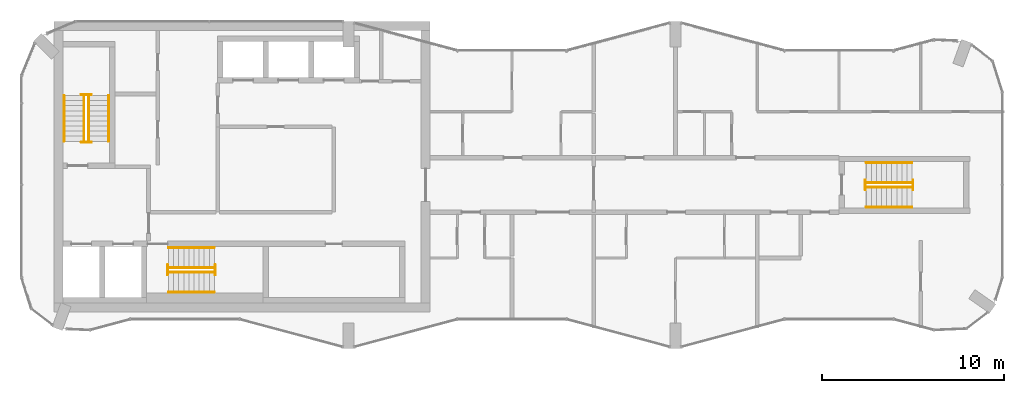
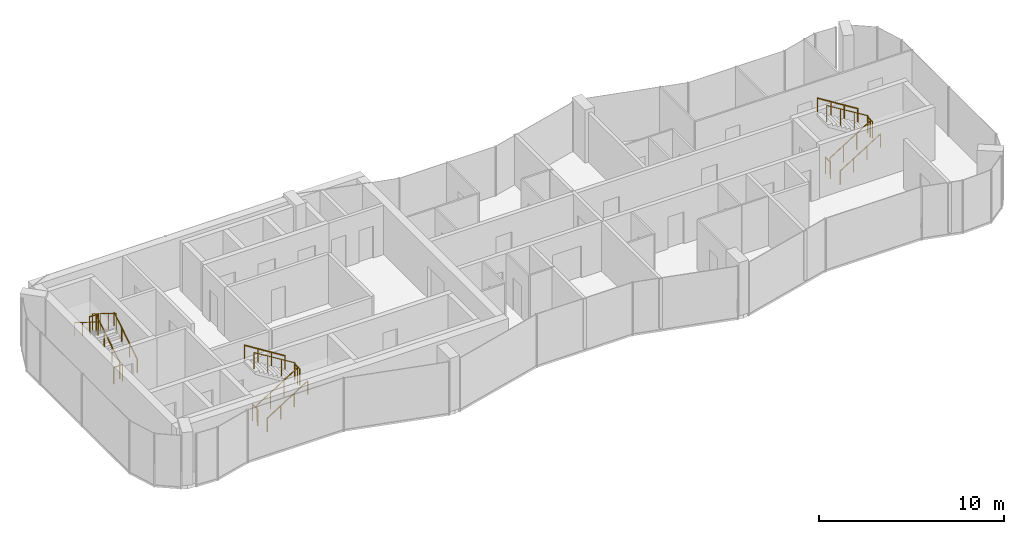
# One storey, part 10 of 10: 18 railings.
"""IFC4 building model written with IfcOpenShell, lengths in metres."""

from ifc_helpers import new_model, si_unit, direction, frame, origin, origin_2d, place, context, subcontext, project, spatial, circle, extrude, material, type_object, element, save


model = new_model("IFC4")

# Units and contexts
model_context = context("Model", 3, precision=1e-05, world=origin(), true_north=direction((0.0, 1.0)))
body_context = subcontext(model_context, "Body", "Model", "MODEL_VIEW")
ifc_project = project(units=[si_unit("LENGTHUNIT", "METRE"), si_unit("AREAUNIT", "SQUARE_METRE"), si_unit("VOLUMEUNIT", "CUBIC_METRE"), si_unit("PLANEANGLEUNIT", "RADIAN"), si_unit("MASSUNIT", "GRAM", prefix="KILO")], contexts=[model_context])

# Site, building, storey
site_placement = place(None, origin())
site = spatial("IfcSite", under=ifc_project, at=site_placement, CompositionType="ELEMENT")
building_placement = place(site_placement, origin())
building = spatial("IfcBuilding", under=site, at=building_placement, Name="Plateau Cross Towers", CompositionType="ELEMENT")
storey_placement = place(building_placement, frame((0.0, 0.0, 249.39990234375)))
storey = spatial("IfcBuildingStorey", under=building, at=storey_placement, Name="L65", CompositionType="ELEMENT", Elevation=249.39990234375)

# Railings
ifc_material_1 = material(Name="Stainless steel and toughened glass", Category="steel")
railing_type_1 = type_object("IfcRailingType", Name="RL-GUARD-1100", PredefinedType="GUARDRAIL", material=ifc_material_1)
railing_1_placement = place(storey_placement, frame((3.699951171875, 11.39990234375, 0.175048828125)))
element("IfcRailing", 1, at=railing_1_placement, inside=storey, type_object=railing_type_1, Name="L65 ST-1 stair guard 1", PredefinedType="GUARDRAIL", context=body_context, shape_type="SweptSolid", body=[
    extrude(circle(Radius=0.02392578125, at=origin_2d()), frame((0.0, 0.0, 1.076171875), z_axis=(0.0, 0.848007534815, 0.529984170421), x_axis=(-1.0, 0.0, 0.0)), (0.0, 0.0, 1.0), 2.9716796875),
    extrude(circle(Radius=0.02099609375, at=origin_2d()), origin(), (0.0, 0.0, 1.0), 1.052001953125),
    extrude(circle(Radius=0.02099609375, at=origin_2d()), frame((0.0, 0.840087890625, 0.52490234375)), (0.0, 0.0, 1.0), 1.052001953125),
    extrude(circle(Radius=0.02099609375, at=origin_2d()), frame((0.0, 1.679931640625, 1.050048828125)), (0.0, 0.0, 1.0), 1.052001953125),
    extrude(circle(Radius=0.02099609375, at=origin_2d()), frame((0.0, 2.52001953125, 1.574951171875)), (0.0, 0.0, 1.0), 1.052001953125),
])
railing_2_placement = place(storey_placement, frame((3.85009765625, 13.969970703125, 1.75)))
element("IfcRailing", 2, at=railing_2_placement, inside=storey, type_object=railing_type_1, Name="L65 ST-1 stair guard 2", PredefinedType="GUARDRAIL", context=body_context, shape_type="SweptSolid", body=[
    extrude(circle(Radius=0.02392578125, at=origin_2d()), frame((0.0, 0.0, 1.076171875), z_axis=(-1.0, 0.0, 0.0), x_axis=(0.0, -1.0, 0.0)), (0.0, 0.0, 1.0), 0.550048828125),
    extrude(circle(Radius=0.02099609375, at=origin_2d()), origin(), (0.0, 0.0, 1.0), 1.052001953125),
    extrude(circle(Radius=0.02099609375, at=origin_2d()), frame((-0.550048828125, 0.0, 0.0)), (0.0, 0.0, 1.0), 1.052001953125),
])
railing_3_placement = place(storey_placement, frame((3.449951171875, 13.919921875, 1.925048828125)))
element("IfcRailing", 3, at=railing_3_placement, inside=storey, type_object=railing_type_1, Name="L65 ST-1 stair guard 3", PredefinedType="GUARDRAIL", context=body_context, shape_type="SweptSolid", body=[
    extrude(circle(Radius=0.02392578125, at=origin_2d()), frame((0.0, 0.0, 1.076171875), z_axis=(0.0, -0.852616386126, 0.522537365276), x_axis=(1.0, 0.0, 0.0)), (0.0, 0.0, 1.0), 3.01416015625),
    extrude(circle(Radius=0.02099609375, at=origin_2d()), origin(), (0.0, 0.0, 1.0), 1.052001953125),
    extrude(circle(Radius=0.02099609375, at=origin_2d()), frame((0.0, -0.856689453125, 0.52490234375)), (0.0, 0.0, 1.0), 1.052001953125),
    extrude(circle(Radius=0.02099609375, at=origin_2d()), frame((0.0, -1.713134765625, 1.050048828125)), (0.0, 0.0, 1.0), 1.052001953125),
    extrude(circle(Radius=0.02099609375, at=origin_2d()), frame((0.0, -2.56982421875, 1.574951171875)), (0.0, 0.0, 1.0), 1.052001953125),
])
railing_4_placement = place(storey_placement, frame((3.85009765625, 11.35009765625, 0.0)))
element("IfcRailing", 4, at=railing_4_placement, inside=storey, type_object=railing_type_1, Name="L65 ST-1 stair guard 4", PredefinedType="GUARDRAIL", context=body_context, shape_type="SweptSolid", body=[
    extrude(circle(Radius=0.02392578125, at=origin_2d()), frame((0.0, 0.0, 1.076171875), z_axis=(-1.0, 0.0, 0.0), x_axis=(0.0, -1.0, 0.0)), (0.0, 0.0, 1.0), 0.550048828125),
    extrude(circle(Radius=0.02099609375, at=origin_2d()), origin(), (0.0, 0.0, 1.0), 1.052001953125),
    extrude(circle(Radius=0.02099609375, at=origin_2d()), frame((-0.550048828125, 0.0, 0.0)), (0.0, 0.0, 1.0), 1.052001953125),
])
railing_5_placement = place(storey_placement, frame((8.10009765625, 4.199951171875, 0.175048828125)))
element("IfcRailing", 5, at=railing_5_placement, inside=storey, type_object=railing_type_1, Name="L65 ST-2 stair guard 1", PredefinedType="GUARDRAIL", context=body_context, shape_type="SweptSolid", body=[
    extrude(circle(Radius=0.02392578125, at=origin_2d()), frame((0.0, 0.0, 1.076171875), z_axis=(0.848007534815, 0.0, 0.529984170421), x_axis=(0.0, 1.0, 0.0)), (0.0, 0.0, 1.0), 2.9716796875),
    extrude(circle(Radius=0.02099609375, at=origin_2d()), origin(), (0.0, 0.0, 1.0), 1.052001953125),
    extrude(circle(Radius=0.02099609375, at=origin_2d()), frame((0.840087890625, 0.0, 0.52490234375)), (0.0, 0.0, 1.0), 1.052001953125),
    extrude(circle(Radius=0.02099609375, at=origin_2d()), frame((1.679931640625, 0.0, 1.050048828125)), (0.0, 0.0, 1.0), 1.052001953125),
    extrude(circle(Radius=0.02099609375, at=origin_2d()), frame((2.52001953125, 0.0, 1.574951171875)), (0.0, 0.0, 1.0), 1.052001953125),
])
railing_6_placement = place(storey_placement, frame((10.669921875, 4.050048828125, 1.75)))
element("IfcRailing", 6, at=railing_6_placement, inside=storey, type_object=railing_type_1, Name="L65 ST-2 stair guard 2", PredefinedType="GUARDRAIL", context=body_context, shape_type="SweptSolid", body=[
    extrude(circle(Radius=0.02392578125, at=origin_2d()), frame((0.0, 0.0, 1.076171875), z_axis=(0.0, 1.0, 0.0), x_axis=(-1.0, 0.0, 0.0)), (0.0, 0.0, 1.0), 0.550048828125),
    extrude(circle(Radius=0.02099609375, at=origin_2d()), origin(), (0.0, 0.0, 1.0), 1.052001953125),
    extrude(circle(Radius=0.02099609375, at=origin_2d()), frame((0.0, 0.550048828125, 0.0)), (0.0, 0.0, 1.0), 1.052001953125),
])
railing_7_placement = place(storey_placement, frame((10.6201171875, 4.449951171875, 1.925048828125)))
element("IfcRailing", 7, at=railing_7_placement, inside=storey, type_object=railing_type_1, Name="L65 ST-2 stair guard 3", PredefinedType="GUARDRAIL", context=body_context, shape_type="SweptSolid", body=[
    extrude(circle(Radius=0.02392578125, at=origin_2d()), frame((0.0, 0.0, 1.076171875), z_axis=(-0.852638500773, 0.0, 0.522501279423), x_axis=(0.0, -1.0, 0.0)), (0.0, 0.0, 1.0), 3.01416015625),
    extrude(circle(Radius=0.02099609375, at=origin_2d()), origin(), (0.0, 0.0, 1.0), 1.052001953125),
    extrude(circle(Radius=0.02099609375, at=origin_2d()), frame((-0.856689453125, 0.0, 0.52490234375)), (0.0, 0.0, 1.0), 1.052001953125),
    extrude(circle(Radius=0.02099609375, at=origin_2d()), frame((-1.71337890625, 0.0, 1.050048828125)), (0.0, 0.0, 1.0), 1.052001953125),
    extrude(circle(Radius=0.02099609375, at=origin_2d()), frame((-2.570068359375, 0.0, 1.574951171875)), (0.0, 0.0, 1.0), 1.052001953125),
])
railing_8_placement = place(storey_placement, frame((8.050048828125, 4.050048828125, 0.0)))
element("IfcRailing", 8, at=railing_8_placement, inside=storey, type_object=railing_type_1, Name="L65 ST-2 stair guard 4", PredefinedType="GUARDRAIL", context=body_context, shape_type="SweptSolid", body=[
    extrude(circle(Radius=0.02392578125, at=origin_2d()), frame((0.0, 0.0, 1.076171875), z_axis=(0.0, 1.0, 0.0), x_axis=(-1.0, 0.0, 0.0)), (0.0, 0.0, 1.0), 0.550048828125),
    extrude(circle(Radius=0.02099609375, at=origin_2d()), origin(), (0.0, 0.0, 1.0), 1.052001953125),
    extrude(circle(Radius=0.02099609375, at=origin_2d()), frame((0.0, 0.550048828125, 0.0)), (0.0, 0.0, 1.0), 1.052001953125),
])
railing_9_placement = place(storey_placement, frame((46.5, 8.875, 0.175048828125)))
element("IfcRailing", 9, at=railing_9_placement, inside=storey, type_object=railing_type_1, Name="L65 ES-E stair guard 1", PredefinedType="GUARDRAIL", context=body_context, shape_type="SweptSolid", body=[
    extrude(circle(Radius=0.02392578125, at=origin_2d()), frame((0.0, 0.0, 1.076171875), z_axis=(0.848007534815, 0.0, 0.529984170421), x_axis=(0.0, 1.0, 0.0)), (0.0, 0.0, 1.0), 2.9716796875),
    extrude(circle(Radius=0.02099609375, at=origin_2d()), origin(), (0.0, 0.0, 1.0), 1.052001953125),
    extrude(circle(Radius=0.02099609375, at=origin_2d()), frame((0.840087890625, 0.0, 0.52490234375)), (0.0, 0.0, 1.0), 1.052001953125),
    extrude(circle(Radius=0.02099609375, at=origin_2d()), frame((1.679931640625, 0.0, 1.050048828125)), (0.0, 0.0, 1.0), 1.052001953125),
    extrude(circle(Radius=0.02099609375, at=origin_2d()), frame((2.52001953125, 0.0, 1.574951171875)), (0.0, 0.0, 1.0), 1.052001953125),
])
railing_10_placement = place(storey_placement, frame((49.070068359375, 8.72509765625, 1.75)))
element("IfcRailing", 10, at=railing_10_placement, inside=storey, type_object=railing_type_1, Name="L65 ES-E stair guard 2", PredefinedType="GUARDRAIL", context=body_context, shape_type="SweptSolid", body=[
    extrude(circle(Radius=0.02392578125, at=origin_2d()), frame((0.0, 0.0, 1.076171875), z_axis=(0.0, 1.0, 0.0), x_axis=(-1.0, 0.0, 0.0)), (0.0, 0.0, 1.0), 0.5498046875),
    extrude(circle(Radius=0.02099609375, at=origin_2d()), origin(), (0.0, 0.0, 1.0), 1.052001953125),
    extrude(circle(Radius=0.02099609375, at=origin_2d()), frame((0.0, 0.5498046875, 0.0)), (0.0, 0.0, 1.0), 1.052001953125),
])
railing_11_placement = place(storey_placement, frame((49.02001953125, 9.125, 1.925048828125)))
element("IfcRailing", 11, at=railing_11_placement, inside=storey, type_object=railing_type_1, Name="L65 ES-E stair guard 3", PredefinedType="GUARDRAIL", context=body_context, shape_type="SweptSolid", body=[
    extrude(circle(Radius=0.02392578125, at=origin_2d()), frame((0.0, 0.0, 1.076171875), z_axis=(-0.852638500773, 0.0, 0.522501279423), x_axis=(0.0, -1.0, 0.0)), (0.0, 0.0, 1.0), 3.01416015625),
    extrude(circle(Radius=0.02099609375, at=origin_2d()), origin(), (0.0, 0.0, 1.0), 1.052001953125),
    extrude(circle(Radius=0.02099609375, at=origin_2d()), frame((-0.856689453125, 0.0, 0.52490234375)), (0.0, 0.0, 1.0), 1.052001953125),
    extrude(circle(Radius=0.02099609375, at=origin_2d()), frame((-1.71337890625, 0.0, 1.050048828125)), (0.0, 0.0, 1.0), 1.052001953125),
    extrude(circle(Radius=0.02099609375, at=origin_2d()), frame((-2.570068359375, 0.0, 1.574951171875)), (0.0, 0.0, 1.0), 1.052001953125),
])
railing_12_placement = place(storey_placement, frame((46.449951171875, 8.72509765625, 0.0)))
element("IfcRailing", 12, at=railing_12_placement, inside=storey, type_object=railing_type_1, Name="L65 ES-E stair guard 4", PredefinedType="GUARDRAIL", context=body_context, shape_type="SweptSolid", body=[
    extrude(circle(Radius=0.02392578125, at=origin_2d()), frame((0.0, 0.0, 1.076171875), z_axis=(0.0, 1.0, 0.0), x_axis=(-1.0, 0.0, 0.0)), (0.0, 0.0, 1.0), 0.5498046875),
    extrude(circle(Radius=0.02099609375, at=origin_2d()), origin(), (0.0, 0.0, 1.0), 1.052001953125),
    extrude(circle(Radius=0.02099609375, at=origin_2d()), frame((0.0, 0.5498046875, 0.0)), (0.0, 0.0, 1.0), 1.052001953125),
])
ifc_material_2 = material(Name="Black anodised aluminium", Category="aluminium")
railing_type_2 = type_object("IfcRailingType", Name="RL-HANDRAIL-900", PredefinedType="HANDRAIL", material=ifc_material_2)
railing_13_placement = place(storey_placement, frame((4.800048828125, 11.39990234375, 0.175048828125)))
element("IfcRailing", 13, at=railing_13_placement, inside=storey, type_object=railing_type_2, Name="L65 ST-1 stair handrail 1", PredefinedType="HANDRAIL", context=body_context, shape_type="SweptSolid", body=[
    extrude(circle(Radius=0.02392578125, at=origin_2d()), frame((0.0, 0.0, 0.8759765625), z_axis=(0.0, 0.848007534815, 0.529984170421), x_axis=(-1.0, 0.0, 0.0)), (0.0, 0.0, 1.0), 2.9716796875),
    extrude(circle(Radius=0.02099609375, at=origin_2d()), origin(), (0.0, 0.0, 1.0), 0.851806640625),
    extrude(circle(Radius=0.02099609375, at=origin_2d()), frame((0.0, 0.840087890625, 0.52490234375)), (0.0, 0.0, 1.0), 0.851806640625),
    extrude(circle(Radius=0.02099609375, at=origin_2d()), frame((0.0, 1.679931640625, 1.050048828125)), (0.0, 0.0, 1.0), 0.851806640625),
    extrude(circle(Radius=0.02099609375, at=origin_2d()), frame((0.0, 2.52001953125, 1.574951171875)), (0.0, 0.0, 1.0), 0.851806640625),
])
railing_14_placement = place(storey_placement, frame((2.35009765625, 13.919921875, 1.925048828125)))
element("IfcRailing", 14, at=railing_14_placement, inside=storey, type_object=railing_type_2, Name="L65 ST-1 stair handrail 2", PredefinedType="HANDRAIL", context=body_context, shape_type="SweptSolid", body=[
    extrude(circle(Radius=0.02392578125, at=origin_2d()), frame((0.0, 0.0, 0.8759765625), z_axis=(0.0, -0.848007534815, 0.529984170421), x_axis=(1.0, 0.0, 0.0)), (0.0, 0.0, 1.0), 2.9716796875),
    extrude(circle(Radius=0.02099609375, at=origin_2d()), origin(), (0.0, 0.0, 1.0), 0.851806640625),
    extrude(circle(Radius=0.02099609375, at=origin_2d()), frame((0.0, -0.840087890625, 0.52490234375)), (0.0, 0.0, 1.0), 0.851806640625),
    extrude(circle(Radius=0.02099609375, at=origin_2d()), frame((0.0, -1.679931640625, 1.050048828125)), (0.0, 0.0, 1.0), 0.851806640625),
    extrude(circle(Radius=0.02099609375, at=origin_2d()), frame((0.0, -2.52001953125, 1.574951171875)), (0.0, 0.0, 1.0), 0.851806640625),
])
railing_15_placement = place(storey_placement, frame((8.10009765625, 3.10009765625, 0.175048828125)))
element("IfcRailing", 15, at=railing_15_placement, inside=storey, type_object=railing_type_2, Name="L65 ST-2 stair handrail 1", PredefinedType="HANDRAIL", context=body_context, shape_type="SweptSolid", body=[
    extrude(circle(Radius=0.02392578125, at=origin_2d()), frame((0.0, 0.0, 0.8759765625), z_axis=(0.848007534815, 0.0, 0.529984170421), x_axis=(0.0, 1.0, 0.0)), (0.0, 0.0, 1.0), 2.9716796875),
    extrude(circle(Radius=0.02099609375, at=origin_2d()), origin(), (0.0, 0.0, 1.0), 0.851806640625),
    extrude(circle(Radius=0.02099609375, at=origin_2d()), frame((0.840087890625, 0.0, 0.52490234375)), (0.0, 0.0, 1.0), 0.851806640625),
    extrude(circle(Radius=0.02099609375, at=origin_2d()), frame((1.679931640625, 0.0, 1.050048828125)), (0.0, 0.0, 1.0), 0.851806640625),
    extrude(circle(Radius=0.02099609375, at=origin_2d()), frame((2.52001953125, 0.0, 1.574951171875)), (0.0, 0.0, 1.0), 0.851806640625),
])
railing_16_placement = place(storey_placement, frame((10.6201171875, 5.550048828125, 1.925048828125)))
element("IfcRailing", 16, at=railing_16_placement, inside=storey, type_object=railing_type_2, Name="L65 ST-2 stair handrail 2", PredefinedType="HANDRAIL", context=body_context, shape_type="SweptSolid", body=[
    extrude(circle(Radius=0.02392578125, at=origin_2d()), frame((0.0, 0.0, 0.8759765625), z_axis=(-0.848007534815, 0.0, 0.529984170421), x_axis=(0.0, -1.0, 0.0)), (0.0, 0.0, 1.0), 2.9716796875),
    extrude(circle(Radius=0.02099609375, at=origin_2d()), origin(), (0.0, 0.0, 1.0), 0.851806640625),
    extrude(circle(Radius=0.02099609375, at=origin_2d()), frame((-0.840087890625, 0.0, 0.52490234375)), (0.0, 0.0, 1.0), 0.851806640625),
    extrude(circle(Radius=0.02099609375, at=origin_2d()), frame((-1.679931640625, 0.0, 1.050048828125)), (0.0, 0.0, 1.0), 0.851806640625),
    extrude(circle(Radius=0.02099609375, at=origin_2d()), frame((-2.52001953125, 0.0, 1.574951171875)), (0.0, 0.0, 1.0), 0.851806640625),
])
railing_17_placement = place(storey_placement, frame((46.5, 7.77490234375, 0.175048828125)))
element("IfcRailing", 17, at=railing_17_placement, inside=storey, type_object=railing_type_2, Name="L65 ES-E stair handrail 1", PredefinedType="HANDRAIL", context=body_context, shape_type="SweptSolid", body=[
    extrude(circle(Radius=0.02392578125, at=origin_2d()), frame((0.0, 0.0, 0.8759765625), z_axis=(0.848007534815, 0.0, 0.529984170421), x_axis=(0.0, 1.0, 0.0)), (0.0, 0.0, 1.0), 2.9716796875),
    extrude(circle(Radius=0.02099609375, at=origin_2d()), origin(), (0.0, 0.0, 1.0), 0.851806640625),
    extrude(circle(Radius=0.02099609375, at=origin_2d()), frame((0.840087890625, 0.0, 0.52490234375)), (0.0, 0.0, 1.0), 0.851806640625),
    extrude(circle(Radius=0.02099609375, at=origin_2d()), frame((1.679931640625, 0.0, 1.050048828125)), (0.0, 0.0, 1.0), 0.851806640625),
    extrude(circle(Radius=0.02099609375, at=origin_2d()), frame((2.52001953125, 0.0, 1.574951171875)), (0.0, 0.0, 1.0), 0.851806640625),
])
railing_18_placement = place(storey_placement, frame((49.02001953125, 10.22509765625, 1.925048828125)))
element("IfcRailing", 18, at=railing_18_placement, inside=storey, type_object=railing_type_2, Name="L65 ES-E stair handrail 2", PredefinedType="HANDRAIL", context=body_context, shape_type="SweptSolid", body=[
    extrude(circle(Radius=0.02392578125, at=origin_2d()), frame((0.0, 0.0, 0.8759765625), z_axis=(-0.848007534815, 0.0, 0.529984170421), x_axis=(0.0, -1.0, 0.0)), (0.0, 0.0, 1.0), 2.9716796875),
    extrude(circle(Radius=0.02099609375, at=origin_2d()), origin(), (0.0, 0.0, 1.0), 0.851806640625),
    extrude(circle(Radius=0.02099609375, at=origin_2d()), frame((-0.840087890625, 0.0, 0.52490234375)), (0.0, 0.0, 1.0), 0.851806640625),
    extrude(circle(Radius=0.02099609375, at=origin_2d()), frame((-1.679931640625, 0.0, 1.050048828125)), (0.0, 0.0, 1.0), 0.851806640625),
    extrude(circle(Radius=0.02099609375, at=origin_2d()), frame((-2.52001953125, 0.0, 1.574951171875)), (0.0, 0.0, 1.0), 0.851806640625),
])

save(model, "model.ifc")
